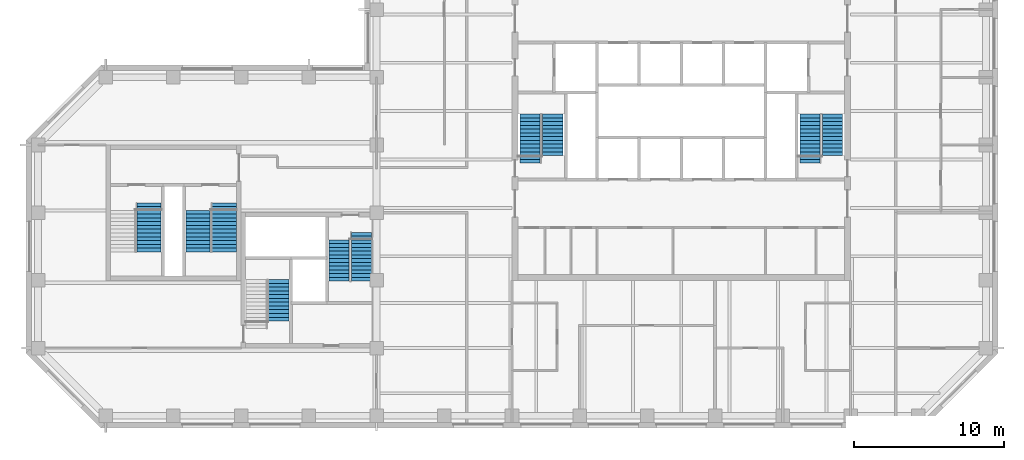
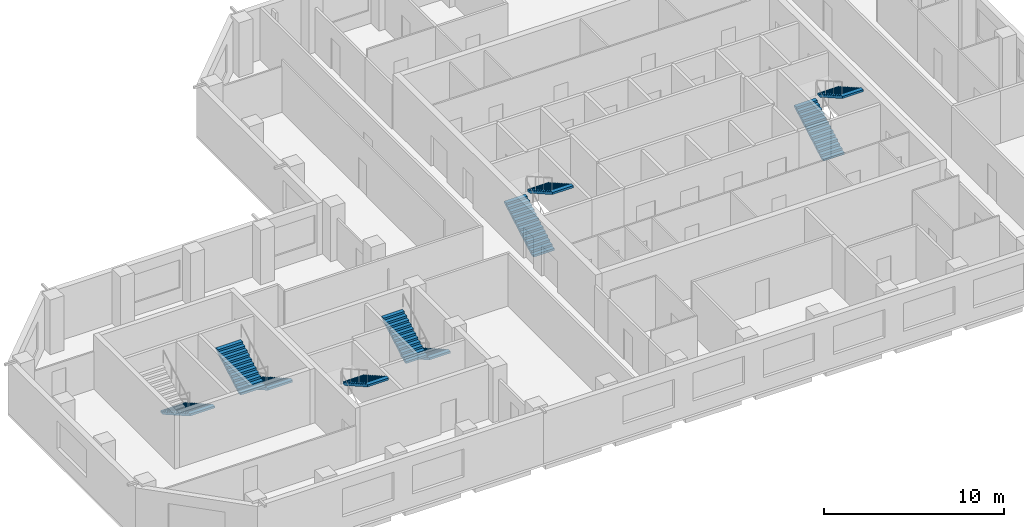
# One storey, part 8 of 9: 10 stair flights, 6 elements without a shape of their own.
"""IFC4 building model written with IfcOpenShell, lengths in metres."""

from ifc_helpers import new_model, si_unit, direction, frame, origin, place, context, subcontext, project, spatial, polyline, outline, extrude, material, type_object, element, aggregate, save


model = new_model("IFC4")

# Units and contexts
model_context = context("Model", 3, precision=1e-05, world=origin(), true_north=direction((0.0, 1.0)))
body_context = subcontext(model_context, "Body", "Model", "MODEL_VIEW")
ifc_project = project(units=[si_unit("LENGTHUNIT", "METRE"), si_unit("AREAUNIT", "SQUARE_METRE"), si_unit("VOLUMEUNIT", "CUBIC_METRE"), si_unit("PLANEANGLEUNIT", "RADIAN"), si_unit("MASSUNIT", "GRAM", prefix="KILO")], contexts=[model_context])

# Site, building, storey
site_placement = place(None, origin())
site = spatial("IfcSite", under=ifc_project, at=site_placement, CompositionType="ELEMENT")
building_placement = place(site_placement, origin())
building = spatial("IfcBuilding", under=site, at=building_placement, Name="Quoin Convention Tower", CompositionType="ELEMENT")
storey_placement = place(building_placement, frame((0.0, 0.0, 215.60009765625)))
storey = spatial("IfcBuildingStorey", under=building, at=storey_placement, Name="L56", CompositionType="ELEMENT", Elevation=215.60009765625)

# Stair, stair flights
ifc_material = material(Name="Concrete C40", Category="concrete")
stair_type_1 = type_object("IfcStairType", Name="Exit stair two-flight 1350", PredefinedType="HALF_TURN_STAIR", material=ifc_material)
stair_1_placement = place(storey_placement, origin())
stair_1 = element("IfcStair", 1, at=stair_1_placement, inside=storey, type_object=stair_type_1, Name="SD1 L56", PredefinedType="HALF_TURN_STAIR")
stair_flight_type_1 = type_object("IfcStairFlightType", Name="Stair flight 1350", PredefinedType="STRAIGHT", material=ifc_material)
stair_flight_1_placement = place(storey_placement, frame((46.199951171875, 57.300048828125, 0.0), z_axis=(0.0, 0.0, 1.0), x_axis=(0.0, 1.0, 0.0)))
stair_flight_1 = element("IfcStairFlight", 2, at=stair_flight_1_placement, type_object=stair_flight_type_1, Name="ST1 flight 1", NumberOfRisers=14, NumberOfTreads=13, PredefinedType="STRAIGHT", RiserHeight=0.142307692, TreadLength=0.25, context=body_context, shape_type="SweptSolid", body=[
    extrude(outline(polyline([(0.0, 0.0), (0.0, 0.142333984375), (0.25, 0.142333984375), (0.25, 0.28466796875), (0.5, 0.28466796875), (0.5, 0.427001953125), (0.75, 0.427001953125), (0.75, 0.5693359375), (1.0, 0.5693359375), (1.0, 0.71142578125), (1.25, 0.71142578125), (1.25, 0.853759765625), (1.5, 0.853759765625), (1.5, 0.99609375), (1.75, 0.99609375), (1.75, 1.138427734375), (2.0, 1.138427734375), (2.0, 1.28076171875), (2.25, 1.28076171875), (2.25, 1.423095703125), (2.5, 1.423095703125), (2.5, 1.5654296875), (2.75, 1.5654296875), (2.75, 1.707763671875), (3.0, 1.707763671875), (3.0, 1.85009765625), (3.25, 1.85009765625), (3.25, 1.9921875), (3.25, 1.711669921875), (0.242919921875, 0.0), (0.0, 0.0)])), frame((0.0, 0.675048828125, 0.0), z_axis=(0.0, -1.0, 0.0), x_axis=(1.0, 0.0, 0.0)), (0.0, 0.0, 1.0), 1.35009765625),
])
stair_flight_2_placement = place(storey_placement, frame((47.699951171875, 60.550048828125, 1.9921875), z_axis=(0.0, 0.0, 1.0), x_axis=(0.0, -1.0, 0.0)))
stair_flight_2 = element("IfcStairFlight", 3, at=stair_flight_2_placement, type_object=stair_flight_type_1, Name="ST1 flight 2", NumberOfRisers=12, NumberOfTreads=11, PredefinedType="STRAIGHT", RiserHeight=0.142307692, TreadLength=0.25, context=body_context, shape_type="SweptSolid", body=[
    extrude(outline(polyline([(0.0, 0.0), (0.0, 0.142333984375), (0.25, 0.142333984375), (0.25, 0.28466796875), (0.5, 0.28466796875), (0.5, 0.427001953125), (0.75, 0.427001953125), (0.75, 0.5693359375), (1.0, 0.5693359375), (1.0, 0.71142578125), (1.25, 0.71142578125), (1.25, 0.853759765625), (1.5, 0.853759765625), (1.5, 0.99609375), (1.75, 0.99609375), (1.75, 1.138427734375), (2.0, 1.138427734375), (2.0, 1.28076171875), (2.25, 1.28076171875), (2.25, 1.423095703125), (2.5, 1.423095703125), (2.5, 1.5654296875), (2.75, 1.5654296875), (2.75, 1.707763671875), (2.75, 1.42724609375), (0.242919921875, 0.0), (0.0, 0.0)])), frame((0.0, 0.675048828125, 0.0), z_axis=(0.0, -1.0, 0.0), x_axis=(1.0, 0.0, 0.0)), (0.0, 0.0, 1.0), 1.35009765625),
])
aggregate(stair_1, [stair_flight_1, stair_flight_2])

stair_2_placement = place(storey_placement, origin())
stair_2 = element("IfcStair", 4, at=stair_2_placement, inside=storey, type_object=stair_type_1, Name="SD2 L56", PredefinedType="HALF_TURN_STAIR")
stair_flight_3_placement = place(storey_placement, frame((64.800048828125, 57.300048828125, 0.0), z_axis=(0.0, 0.0, 1.0), x_axis=(0.0, 1.0, 0.0)))
stair_flight_3 = element("IfcStairFlight", 5, at=stair_flight_3_placement, type_object=stair_flight_type_1, Name="ST2 flight 1", NumberOfRisers=14, NumberOfTreads=13, PredefinedType="STRAIGHT", RiserHeight=0.142307692, TreadLength=0.25, context=body_context, shape_type="SweptSolid", body=[
    extrude(outline(polyline([(0.0, 0.0), (0.0, 0.142333984375), (0.25, 0.142333984375), (0.25, 0.28466796875), (0.5, 0.28466796875), (0.5, 0.427001953125), (0.75, 0.427001953125), (0.75, 0.5693359375), (1.0, 0.5693359375), (1.0, 0.71142578125), (1.25, 0.71142578125), (1.25, 0.853759765625), (1.5, 0.853759765625), (1.5, 0.99609375), (1.75, 0.99609375), (1.75, 1.138427734375), (2.0, 1.138427734375), (2.0, 1.28076171875), (2.25, 1.28076171875), (2.25, 1.423095703125), (2.5, 1.423095703125), (2.5, 1.5654296875), (2.75, 1.5654296875), (2.75, 1.707763671875), (3.0, 1.707763671875), (3.0, 1.85009765625), (3.25, 1.85009765625), (3.25, 1.9921875), (3.25, 1.711669921875), (0.242919921875, 0.0), (0.0, 0.0)])), frame((0.0, 0.675048828125, 0.0), z_axis=(0.0, -1.0, 0.0), x_axis=(1.0, 0.0, 0.0)), (0.0, 0.0, 1.0), 1.35009765625),
])
stair_flight_4_placement = place(storey_placement, frame((66.300048828125, 60.550048828125, 1.9921875), z_axis=(0.0, 0.0, 1.0), x_axis=(0.0, -1.0, 0.0)))
stair_flight_4 = element("IfcStairFlight", 6, at=stair_flight_4_placement, type_object=stair_flight_type_1, Name="ST2 flight 2", NumberOfRisers=12, NumberOfTreads=11, PredefinedType="STRAIGHT", RiserHeight=0.142307692, TreadLength=0.25, context=body_context, shape_type="SweptSolid", body=[
    extrude(outline(polyline([(0.0, 0.0), (0.0, 0.142333984375), (0.25, 0.142333984375), (0.25, 0.28466796875), (0.5, 0.28466796875), (0.5, 0.427001953125), (0.75, 0.427001953125), (0.75, 0.5693359375), (1.0, 0.5693359375), (1.0, 0.71142578125), (1.25, 0.71142578125), (1.25, 0.853759765625), (1.5, 0.853759765625), (1.5, 0.99609375), (1.75, 0.99609375), (1.75, 1.138427734375), (2.0, 1.138427734375), (2.0, 1.28076171875), (2.25, 1.28076171875), (2.25, 1.423095703125), (2.5, 1.423095703125), (2.5, 1.5654296875), (2.75, 1.5654296875), (2.75, 1.707763671875), (2.75, 1.42724609375), (0.242919921875, 0.0), (0.0, 0.0)])), frame((0.0, 0.675048828125, 0.0), z_axis=(0.0, -1.0, 0.0), x_axis=(1.0, 0.0, 0.0)), (0.0, 0.0, 1.0), 1.35009765625),
])
aggregate(stair_2, [stair_flight_3, stair_flight_4])

# Stair, stair flight
stair_3_placement = place(storey_placement, origin())
stair_3 = element("IfcStair", 7, at=stair_3_placement, inside=storey, type_object=stair_type_1, Name="SD3 L56", PredefinedType="HALF_TURN_STAIR")
stair_flight_5_placement = place(storey_placement, frame((29.5, 49.550048828125, 1.9921875), z_axis=(0.0, 0.0, 1.0), x_axis=(0.0, -1.0, 0.0)))
stair_flight_5 = element("IfcStairFlight", 8, at=stair_flight_5_placement, type_object=stair_flight_type_1, Name="ST3 flight 2", NumberOfRisers=12, NumberOfTreads=11, PredefinedType="STRAIGHT", RiserHeight=0.142307692, TreadLength=0.25, context=body_context, shape_type="SweptSolid", body=[
    extrude(outline(polyline([(0.0, 0.0), (0.0, 0.142333984375), (0.25, 0.142333984375), (0.25, 0.28466796875), (0.5, 0.28466796875), (0.5, 0.427001953125), (0.75, 0.427001953125), (0.75, 0.5693359375), (1.0, 0.5693359375), (1.0, 0.71142578125), (1.25, 0.71142578125), (1.25, 0.853759765625), (1.5, 0.853759765625), (1.5, 0.99609375), (1.75, 0.99609375), (1.75, 1.138427734375), (2.0, 1.138427734375), (2.0, 1.28076171875), (2.25, 1.28076171875), (2.25, 1.423095703125), (2.5, 1.423095703125), (2.5, 1.5654296875), (2.75, 1.5654296875), (2.75, 1.707763671875), (2.75, 1.42724609375), (0.242919921875, 0.0), (0.0, 0.0)])), frame((0.0, 0.675048828125, 0.0), z_axis=(0.0, -1.0, 0.0), x_axis=(1.0, 0.0, 0.0)), (0.0, 0.0, 1.0), 1.35009765625),
])
aggregate(stair_3, [stair_flight_5])

# Stair, stair flights
stair_4_placement = place(storey_placement, origin())
stair_4 = element("IfcStair", 9, at=stair_4_placement, inside=storey, type_object=stair_type_1, Name="SD4 L56", PredefinedType="HALF_TURN_STAIR")
stair_flight_6_placement = place(storey_placement, frame((35.0, 52.699951171875, 0.0), z_axis=(0.0, 0.0, 1.0), x_axis=(0.0, -1.0, 0.0)))
stair_flight_6 = element("IfcStairFlight", 10, at=stair_flight_6_placement, type_object=stair_flight_type_1, Name="ST4 flight 1", NumberOfRisers=14, NumberOfTreads=13, PredefinedType="STRAIGHT", RiserHeight=0.142307692, TreadLength=0.25, context=body_context, shape_type="SweptSolid", body=[
    extrude(outline(polyline([(0.0, 0.0), (0.0, 0.142333984375), (0.25, 0.142333984375), (0.25, 0.28466796875), (0.5, 0.28466796875), (0.5, 0.427001953125), (0.75, 0.427001953125), (0.75, 0.5693359375), (1.0, 0.5693359375), (1.0, 0.71142578125), (1.25, 0.71142578125), (1.25, 0.853759765625), (1.5, 0.853759765625), (1.5, 0.99609375), (1.75, 0.99609375), (1.75, 1.138427734375), (2.0, 1.138427734375), (2.0, 1.28076171875), (2.25, 1.28076171875), (2.25, 1.423095703125), (2.5, 1.423095703125), (2.5, 1.5654296875), (2.75, 1.5654296875), (2.75, 1.707763671875), (3.0, 1.707763671875), (3.0, 1.85009765625), (3.25, 1.85009765625), (3.25, 1.9921875), (3.25, 1.711669921875), (0.242919921875, 0.0), (0.0, 0.0)])), frame((0.0, 0.675048828125, 0.0), z_axis=(0.0, -1.0, 0.0), x_axis=(1.0, 0.0, 0.0)), (0.0, 0.0, 1.0), 1.35009765625),
])
stair_flight_7_placement = place(storey_placement, frame((33.5, 49.449951171875, 1.9921875), z_axis=(0.0, 0.0, 1.0), x_axis=(0.0, 1.0, 0.0)))
stair_flight_7 = element("IfcStairFlight", 11, at=stair_flight_7_placement, type_object=stair_flight_type_1, Name="ST4 flight 2", NumberOfRisers=12, NumberOfTreads=11, PredefinedType="STRAIGHT", RiserHeight=0.142307692, TreadLength=0.25, context=body_context, shape_type="SweptSolid", body=[
    extrude(outline(polyline([(0.0, 0.0), (0.0, 0.142333984375), (0.25, 0.142333984375), (0.25, 0.28466796875), (0.5, 0.28466796875), (0.5, 0.427001953125), (0.75, 0.427001953125), (0.75, 0.5693359375), (1.0, 0.5693359375), (1.0, 0.71142578125), (1.25, 0.71142578125), (1.25, 0.853759765625), (1.5, 0.853759765625), (1.5, 0.99609375), (1.75, 0.99609375), (1.75, 1.138427734375), (2.0, 1.138427734375), (2.0, 1.28076171875), (2.25, 1.28076171875), (2.25, 1.423095703125), (2.5, 1.423095703125), (2.5, 1.5654296875), (2.75, 1.5654296875), (2.75, 1.707763671875), (2.75, 1.42724609375), (0.242919921875, 0.0), (0.0, 0.0)])), frame((0.0, 0.675048828125, 0.0), z_axis=(0.0, -1.0, 0.0), x_axis=(1.0, 0.0, 0.0)), (0.0, 0.0, 1.0), 1.35009765625),
])
aggregate(stair_4, [stair_flight_6, stair_flight_7])

# Stair, stair flight
stair_type_2 = type_object("IfcStairType", Name="Exit stair two-flight 1600", PredefinedType="HALF_TURN_STAIR", material=ifc_material)
stair_5_placement = place(storey_placement, origin())
stair_5 = element("IfcStair", 12, at=stair_5_placement, inside=storey, type_object=stair_type_2, Name="SD11 L56", PredefinedType="HALF_TURN_STAIR")
stair_flight_type_2 = type_object("IfcStairFlightType", Name="Stair flight 1600", PredefinedType="STRAIGHT", material=ifc_material)
stair_flight_8_placement = place(storey_placement, frame((20.875, 54.64990234375, 0.0), z_axis=(0.0, 0.0, 1.0), x_axis=(0.0, -1.0, 0.0)))
stair_flight_8 = element("IfcStairFlight", 13, at=stair_flight_8_placement, type_object=stair_flight_type_2, Name="ST11 flight 1", NumberOfRisers=14, NumberOfTreads=13, PredefinedType="STRAIGHT", RiserHeight=0.142307692, TreadLength=0.25, context=body_context, shape_type="SweptSolid", body=[
    extrude(outline(polyline([(0.0, 0.0), (0.0, 0.142333984375), (0.25, 0.142333984375), (0.25, 0.28466796875), (0.5, 0.28466796875), (0.5, 0.427001953125), (0.75, 0.427001953125), (0.75, 0.5693359375), (1.0, 0.5693359375), (1.0, 0.71142578125), (1.25, 0.71142578125), (1.25, 0.853759765625), (1.5, 0.853759765625), (1.5, 0.99609375), (1.75, 0.99609375), (1.75, 1.138427734375), (2.0, 1.138427734375), (2.0, 1.28076171875), (2.25, 1.28076171875), (2.25, 1.423095703125), (2.5, 1.423095703125), (2.5, 1.5654296875), (2.75, 1.5654296875), (2.75, 1.707763671875), (3.0, 1.707763671875), (3.0, 1.85009765625), (3.25, 1.85009765625), (3.25, 1.9921875), (3.25, 1.711669921875), (0.242919921875, 0.0), (0.0, 0.0)])), frame((0.0, 0.800048828125, 0.0), z_axis=(0.0, -1.0, 0.0), x_axis=(1.0, 0.0, 0.0)), (0.0, 0.0, 1.0), 1.60009765625),
])
aggregate(stair_5, [stair_flight_8])

# Stair, stair flights
stair_6_placement = place(storey_placement, origin())
stair_6 = element("IfcStair", 14, at=stair_6_placement, inside=storey, type_object=stair_type_2, Name="SD12 L56", PredefinedType="HALF_TURN_STAIR")
stair_flight_9_placement = place(storey_placement, frame((25.875, 54.64990234375, 0.0), z_axis=(0.0, 0.0, 1.0), x_axis=(0.0, -1.0, 0.0)))
stair_flight_9 = element("IfcStairFlight", 15, at=stair_flight_9_placement, type_object=stair_flight_type_2, Name="ST12 flight 1", NumberOfRisers=14, NumberOfTreads=13, PredefinedType="STRAIGHT", RiserHeight=0.142307692, TreadLength=0.25, context=body_context, shape_type="SweptSolid", body=[
    extrude(outline(polyline([(0.0, 0.0), (0.0, 0.142333984375), (0.25, 0.142333984375), (0.25, 0.28466796875), (0.5, 0.28466796875), (0.5, 0.427001953125), (0.75, 0.427001953125), (0.75, 0.5693359375), (1.0, 0.5693359375), (1.0, 0.71142578125), (1.25, 0.71142578125), (1.25, 0.853759765625), (1.5, 0.853759765625), (1.5, 0.99609375), (1.75, 0.99609375), (1.75, 1.138427734375), (2.0, 1.138427734375), (2.0, 1.28076171875), (2.25, 1.28076171875), (2.25, 1.423095703125), (2.5, 1.423095703125), (2.5, 1.5654296875), (2.75, 1.5654296875), (2.75, 1.707763671875), (3.0, 1.707763671875), (3.0, 1.85009765625), (3.25, 1.85009765625), (3.25, 1.9921875), (3.25, 1.711669921875), (0.242919921875, 0.0), (0.0, 0.0)])), frame((0.0, 0.800048828125, 0.0), z_axis=(0.0, -1.0, 0.0), x_axis=(1.0, 0.0, 0.0)), (0.0, 0.0, 1.0), 1.60009765625),
])
stair_flight_10_placement = place(storey_placement, frame((24.125, 51.39990234375, 1.9921875), z_axis=(0.0, 0.0, 1.0), x_axis=(0.0, 1.0, 0.0)))
stair_flight_10 = element("IfcStairFlight", 16, at=stair_flight_10_placement, type_object=stair_flight_type_2, Name="ST12 flight 2", NumberOfRisers=12, NumberOfTreads=11, PredefinedType="STRAIGHT", RiserHeight=0.142307692, TreadLength=0.25, context=body_context, shape_type="SweptSolid", body=[
    extrude(outline(polyline([(0.0, 0.0), (0.0, 0.142333984375), (0.25, 0.142333984375), (0.25, 0.28466796875), (0.5, 0.28466796875), (0.5, 0.427001953125), (0.75, 0.427001953125), (0.75, 0.5693359375), (1.0, 0.5693359375), (1.0, 0.71142578125), (1.25, 0.71142578125), (1.25, 0.853759765625), (1.5, 0.853759765625), (1.5, 0.99609375), (1.75, 0.99609375), (1.75, 1.138427734375), (2.0, 1.138427734375), (2.0, 1.28076171875), (2.25, 1.28076171875), (2.25, 1.423095703125), (2.5, 1.423095703125), (2.5, 1.5654296875), (2.75, 1.5654296875), (2.75, 1.707763671875), (2.75, 1.42724609375), (0.242919921875, 0.0), (0.0, 0.0)])), frame((0.0, 0.800048828125, 0.0), z_axis=(0.0, -1.0, 0.0), x_axis=(1.0, 0.0, 0.0)), (0.0, 0.0, 1.0), 1.60009765625),
])
aggregate(stair_6, [stair_flight_9, stair_flight_10])

save(model, "model.ifc")
